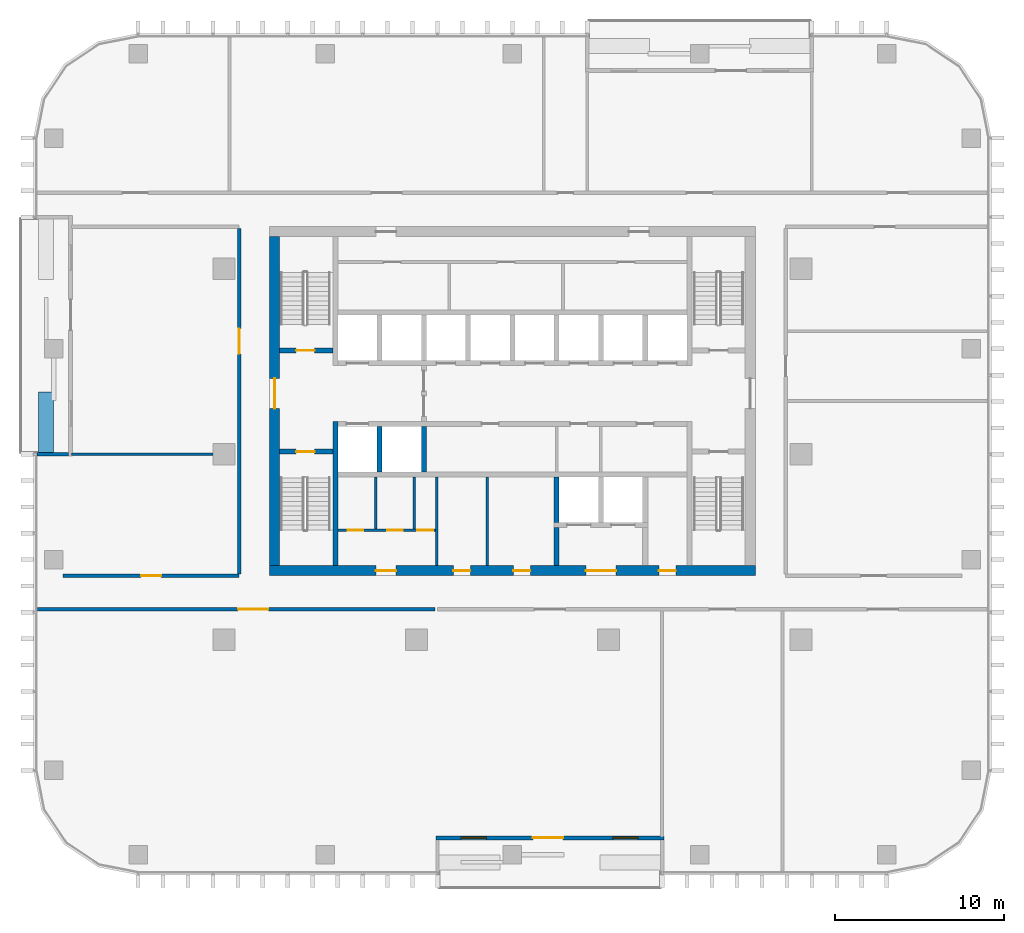
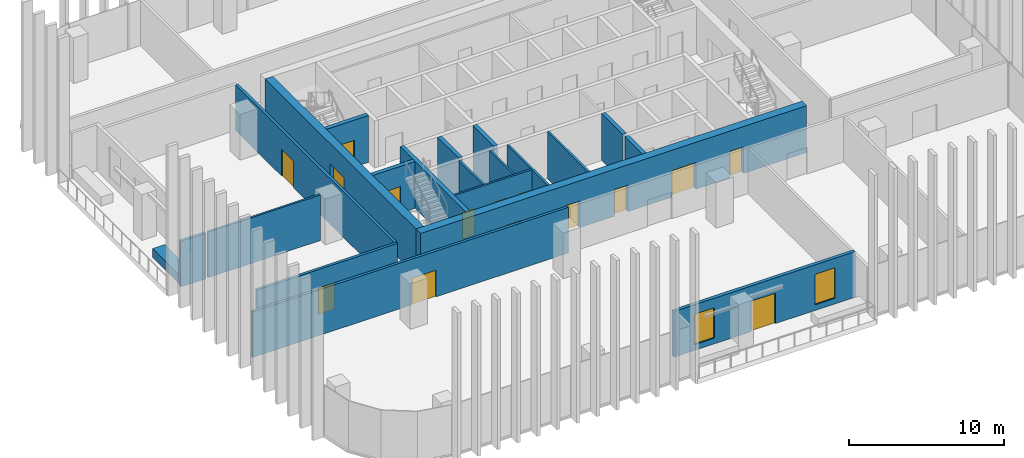
# One storey, part 7 of 16: 21 walls, 15 doors, 2 windows, 17 openings.
"""IFC4 building model written with IfcOpenShell, lengths in metres."""

from ifc_helpers import new_model, si_unit, direction, frame, frame_2d, origin, place, context, subcontext, project, spatial, rectangle, extrude, material, layer, layer_set, type_object, element, fill, save


model = new_model("IFC4")

# Units and contexts
model_context = context("Model", 3, precision=1e-05, world=origin(), true_north=direction((0.0, 1.0)))
body_context = subcontext(model_context, "Body", "Model", "MODEL_VIEW")
ifc_project = project(units=[si_unit("LENGTHUNIT", "METRE"), si_unit("AREAUNIT", "SQUARE_METRE"), si_unit("VOLUMEUNIT", "CUBIC_METRE"), si_unit("PLANEANGLEUNIT", "RADIAN"), si_unit("MASSUNIT", "GRAM", prefix="KILO")], contexts=[model_context])

# Site, building, storey
site_placement = place(None, origin())
site = spatial("IfcSite", under=ifc_project, at=site_placement, CompositionType="ELEMENT")
building_placement = place(site_placement, origin())
building = spatial("IfcBuilding", under=site, at=building_placement, Name="Mopane Tessera Tower", CompositionType="ELEMENT")
storey_placement = place(building_placement, frame((0.0, 0.0, 247.0)))
storey = spatial("IfcBuildingStorey", under=building, at=storey_placement, Name="L53", CompositionType="ELEMENT", Elevation=247.0)

# Wall, openings, doors
ifc_material_1 = material(Name="Fire-rated gypsum board partition")
ifc_layer_1 = layer(ifc_material_1, 0.14990234375)
ifc_layer_set_1 = layer_set([ifc_layer_1], Name="Fire-rated gypsum board partition")
wall_type_1 = type_object("IfcWallType", Name="Core room partition 150 mm", PredefinedType="PARTITIONING", material=ifc_layer_set_1)
wall_1_placement = place(storey_placement, frame((-10.35009765625, -4.5, 0.0), z_axis=(0.0, 0.0, 1.0), x_axis=(1.0, 0.0, 0.0)))
wall_1 = element("IfcWall", 1, at=wall_1_placement, inside=storey, type_object=wall_type_1, Name="L53 WC partition", PredefinedType="PARTITIONING", context=body_context, shape_type="SweptSolid", body=[
    extrude(rectangle(XDim=5.775146484375, YDim=0.14990234375, at=frame_2d((2.8876953125, 0.0))), origin(), (0.0, 0.0, 1.0), 3.699951171875),
])
opening_1_placement = place(wall_1_placement, frame((0.60009765625, 0.0, 0.0)))
opening_1 = element("IfcOpeningElement", 2, at=opening_1_placement, cuts=wall_1, Name="Opening WD1", PredefinedType="OPENING", context=body_context, shape_type="SweptSolid", body=[
    extrude(rectangle(XDim=0.89990234375, YDim=2.10009765625, at=frame_2d((0.449951171875, 1.050048828125))), frame((0.0, 0.0869140625, 0.0), z_axis=(0.0, -1.0, 0.0), x_axis=(1.0, 0.0, 0.0)), (0.0, 0.0, 1.0), 0.173828125),
])
opening_2_placement = place(wall_1_placement, frame((2.93994140625, 0.0, 0.0)))
opening_2 = element("IfcOpeningElement", 3, at=opening_2_placement, cuts=wall_1, Name="Opening WD1", PredefinedType="OPENING", context=body_context, shape_type="SweptSolid", body=[
    extrude(rectangle(XDim=0.89990234375, YDim=2.10009765625, at=frame_2d((0.449951171875, 1.050048828125))), frame((0.0, 0.0869140625, 0.0), z_axis=(0.0, -1.0, 0.0), x_axis=(1.0, 0.0, 0.0)), (0.0, 0.0, 1.0), 0.173828125),
])
opening_3_placement = place(wall_1_placement, frame((4.715087890625, 0.0, 0.0)))
opening_3 = element("IfcOpeningElement", 4, at=opening_3_placement, cuts=wall_1, Name="Opening WD2", PredefinedType="OPENING", context=body_context, shape_type="SweptSolid", body=[
    extrude(rectangle(XDim=0.949951171875, YDim=2.10009765625, at=frame_2d((0.47509765625, 1.050048828125))), frame((0.0, 0.0869140625, 0.0), z_axis=(0.0, -1.0, 0.0), x_axis=(1.0, 0.0, 0.0)), (0.0, 0.0, 1.0), 0.173828125),
])
ifc_material_2 = material(Name="Timber door", Category="wood")
door_type_1 = type_object("IfcDoorType", Name="Accessible WC door 950 x 2100", OperationType="SINGLE_SWING_LEFT", PredefinedType="DOOR", material=ifc_material_2)
door_1_placement = place(opening_3_placement, origin())
door_1 = element("IfcDoor", 5, at=door_1_placement, inside=storey, type_object=door_type_1, Name="L53 Accessible WC door", OperationType="SINGLE_SWING_LEFT", OverallHeight=2.10009765625, OverallWidth=0.949951171875, PredefinedType="DOOR", context=body_context, shape_type="SweptSolid", body=[
    extrude(rectangle(XDim=0.949951171875, YDim=2.10009765625, at=frame_2d((0.47509765625, 1.050048828125))), frame((0.0, 0.02490234375, 0.0), z_axis=(0.0, -1.0, 0.0), x_axis=(1.0, 0.0, 0.0)), (0.0, 0.0, 1.0), 0.050048828125),
])
fill(opening_3, door_1)
ifc_material_3 = material(Name="Timber door", Category="wood")
door_type_2 = type_object("IfcDoorType", Name="WC cubicle door 900 x 2100", OperationType="SINGLE_SWING_LEFT", PredefinedType="DOOR", material=ifc_material_3)
door_2_placement = place(opening_1_placement, origin())
door_2 = element("IfcDoor", 6, at=door_2_placement, inside=storey, type_object=door_type_2, Name="L53 Men's WC door", OperationType="SINGLE_SWING_LEFT", OverallHeight=2.10009765625, OverallWidth=0.89990234375, PredefinedType="DOOR", context=body_context, shape_type="SweptSolid", body=[
    extrude(rectangle(XDim=0.89990234375, YDim=2.10009765625, at=frame_2d((0.449951171875, 1.050048828125))), frame((0.0, 0.02490234375, 0.0), z_axis=(0.0, -1.0, 0.0), x_axis=(1.0, 0.0, 0.0)), (0.0, 0.0, 1.0), 0.050048828125),
])
fill(opening_1, door_2)
door_3_placement = place(opening_2_placement, origin())
door_3 = element("IfcDoor", 7, at=door_3_placement, inside=storey, type_object=door_type_2, Name="L53 Women's WC door", OperationType="SINGLE_SWING_LEFT", OverallHeight=2.10009765625, OverallWidth=0.89990234375, PredefinedType="DOOR", context=body_context, shape_type="SweptSolid", body=[
    extrude(rectangle(XDim=0.89990234375, YDim=2.10009765625, at=frame_2d((0.449951171875, 1.050048828125))), frame((0.0, 0.02490234375, 0.0), z_axis=(0.0, -1.0, 0.0), x_axis=(1.0, 0.0, 0.0)), (0.0, 0.0, 1.0), 0.050048828125),
])
fill(opening_2, door_3)

# Walls
for number, where, z_axis, x_axis, name in (
    (8, (-8.10009765625, -4.425048828125, 0.0), (0.0, 0.0, 1.0), (0.0, 1.0, 0.0), "L53 WC partition"),
    (9, (-5.820068359375, -4.425048828125, 0.0), (0.0, 0.0, 1.0), (0.0, 1.0, 0.0), "L53 WC partition"),
):
    element("IfcWall", number, at=place(storey_placement, frame(where, z_axis=z_axis, x_axis=x_axis)), inside=storey, type_object=wall_type_1, Name=name, PredefinedType="PARTITIONING", context=body_context, shape_type="SweptSolid", body=[
        extrude(rectangle(XDim=3.074951171875, YDim=0.14990234375, at=frame_2d((1.53759765625, 0.0))), origin(), (0.0, 0.0, 1.0), 3.699951171875),
    ])
for number, where, z_axis, x_axis, name in (
    (10, (-4.5, -6.60009765625, 0.0), (0.0, 0.0, 1.0), (0.0, 1.0, 0.0), "L53 Room partition"),
    (11, (-1.5, -6.60009765625, 0.0), (0.0, 0.0, 1.0), (0.0, 1.0, 0.0), "L53 Room partition"),
):
    element("IfcWall", number, at=place(storey_placement, frame(where, z_axis=z_axis, x_axis=x_axis)), inside=storey, type_object=wall_type_1, Name=name, PredefinedType="PARTITIONING", context=body_context, shape_type="SweptSolid", body=[
        extrude(rectangle(XDim=5.25, YDim=0.14990234375, at=frame_2d((2.625, 0.0))), origin(), (0.0, 0.0, 1.0), 3.699951171875),
    ])

# Wall, openings, doors
ifc_material_4 = material(Name="Concrete C70/85", Category="concrete")
ifc_layer_2 = layer(ifc_material_4, 0.60009765625)
ifc_layer_set_2 = layer_set([ifc_layer_2], Name="Concrete C70/85")
wall_type_2 = type_object("IfcWallType", Name="Core shear wall 600 mm", PredefinedType="SHEAR", material=ifc_layer_set_2)
wall_2_placement = place(storey_placement, frame((-14.39990234375, -6.89990234375, 0.0), z_axis=(0.0, 0.0, 1.0), x_axis=(1.0, 0.0, 0.0)))
wall_2 = element("IfcWall", 12, at=wall_2_placement, inside=storey, type_object=wall_type_2, Name="L53 Core wall south", PredefinedType="SHEAR", context=body_context, shape_type="SweptSolid", body=[
    extrude(rectangle(XDim=28.7998046875, YDim=0.60009765625, at=frame_2d((14.39990234375, 0.0))), origin(), (0.0, 0.0, 1.0), 3.699951171875),
])
opening_4_placement = place(wall_2_placement, frame((6.300048828125, 0.0, 0.0)))
opening_4 = element("IfcOpeningElement", 13, at=opening_4_placement, cuts=wall_2, Name="Opening WD3", PredefinedType="OPENING", context=body_context, shape_type="SweptSolid", body=[
    extrude(rectangle(XDim=1.199951171875, YDim=2.10009765625, at=frame_2d((0.60009765625, 1.050048828125))), frame((0.0, 0.31201171875, 0.0), z_axis=(0.0, -1.0, 0.0), x_axis=(1.0, 0.0, 0.0)), (0.0, 0.0, 1.0), 0.6240234375),
])
opening_5_placement = place(wall_2_placement, frame((10.89990234375, 0.0, 0.0)))
opening_5 = element("IfcOpeningElement", 14, at=opening_5_placement, cuts=wall_2, Name="Opening RD1", PredefinedType="OPENING", context=body_context, shape_type="SweptSolid", body=[
    extrude(rectangle(XDim=1.0, YDim=2.10009765625, at=frame_2d((0.5, 1.050048828125))), frame((0.0, 0.31201171875, 0.0), z_axis=(0.0, -1.0, 0.0), x_axis=(1.0, 0.0, 0.0)), (0.0, 0.0, 1.0), 0.6240234375),
])
opening_6_placement = place(wall_2_placement, frame((14.46240234375, 0.0, 0.0)))
opening_6 = element("IfcOpeningElement", 15, at=opening_6_placement, cuts=wall_2, Name="Opening RD1", PredefinedType="OPENING", context=body_context, shape_type="SweptSolid", body=[
    extrude(rectangle(XDim=1.0, YDim=2.10009765625, at=frame_2d((0.5, 1.050048828125))), frame((0.0, 0.31201171875, 0.0), z_axis=(0.0, -1.0, 0.0), x_axis=(1.0, 0.0, 0.0)), (0.0, 0.0, 1.0), 0.6240234375),
])
opening_7_placement = place(wall_2_placement, frame((18.75, 0.0, 0.0)))
opening_7 = element("IfcOpeningElement", 16, at=opening_7_placement, cuts=wall_2, Name="Opening SD2", PredefinedType="OPENING", context=body_context, shape_type="SweptSolid", body=[
    extrude(rectangle(XDim=1.800048828125, YDim=2.10009765625, at=frame_2d((0.89990234375, 1.050048828125))), frame((0.0, 0.31201171875, 0.0), z_axis=(0.0, -1.0, 0.0), x_axis=(1.0, 0.0, 0.0)), (0.0, 0.0, 1.0), 0.6240234375),
])
opening_8_placement = place(wall_2_placement, frame((23.08740234375, 0.0, 0.0)))
opening_8 = element("IfcOpeningElement", 17, at=opening_8_placement, cuts=wall_2, Name="Opening RD1", PredefinedType="OPENING", context=body_context, shape_type="SweptSolid", body=[
    extrude(rectangle(XDim=1.0, YDim=2.10009765625, at=frame_2d((0.5, 1.050048828125))), frame((0.0, 0.31201171875, 0.0), z_axis=(0.0, -1.0, 0.0), x_axis=(1.0, 0.0, 0.0)), (0.0, 0.0, 1.0), 0.6240234375),
])
ifc_material_5 = material(Name="Steel fire door", Category="steel")
door_type_3 = type_object("IfcDoorType", Name="Core entrance double door 1800 x 2100", OperationType="DOUBLE_DOOR_SINGLE_SWING", PredefinedType="DOOR", material=ifc_material_5)
door_4_placement = place(opening_7_placement, origin())
door_4 = element("IfcDoor", 18, at=door_4_placement, inside=storey, type_object=door_type_3, Name="L53 Service lobby door", OperationType="DOUBLE_DOOR_SINGLE_SWING", OverallHeight=2.10009765625, OverallWidth=1.800048828125, PredefinedType="DOOR", context=body_context, shape_type="SweptSolid", body=[
    extrude(rectangle(XDim=1.800048828125, YDim=2.10009765625, at=frame_2d((0.89990234375, 1.050048828125))), frame((0.0, 0.02490234375, 0.0), z_axis=(0.0, -1.0, 0.0), x_axis=(1.0, 0.0, 0.0)), (0.0, 0.0, 1.0), 0.050048828125),
])
fill(opening_7, door_4)
ifc_material_6 = material(Name="Timber door", Category="wood")
door_type_4 = type_object("IfcDoorType", Name="Core room door 1000 x 2100", OperationType="SINGLE_SWING_LEFT", PredefinedType="DOOR", material=ifc_material_6)
door_5_placement = place(opening_5_placement, origin())
door_5 = element("IfcDoor", 19, at=door_5_placement, inside=storey, type_object=door_type_4, Name="L53 Room door", OperationType="SINGLE_SWING_LEFT", OverallHeight=2.10009765625, OverallWidth=1.0, PredefinedType="DOOR", context=body_context, shape_type="SweptSolid", body=[
    extrude(rectangle(XDim=1.0, YDim=2.10009765625, at=frame_2d((0.5, 1.050048828125))), frame((0.0, 0.02490234375, 0.0), z_axis=(0.0, -1.0, 0.0), x_axis=(1.0, 0.0, 0.0)), (0.0, 0.0, 1.0), 0.050048828125),
])
fill(opening_5, door_5)
door_6_placement = place(opening_6_placement, origin())
door_6 = element("IfcDoor", 20, at=door_6_placement, inside=storey, type_object=door_type_4, Name="L53 Room door", OperationType="SINGLE_SWING_LEFT", OverallHeight=2.10009765625, OverallWidth=1.0, PredefinedType="DOOR", context=body_context, shape_type="SweptSolid", body=[
    extrude(rectangle(XDim=1.0, YDim=2.10009765625, at=frame_2d((0.5, 1.050048828125))), frame((0.0, 0.02490234375, 0.0), z_axis=(0.0, -1.0, 0.0), x_axis=(1.0, 0.0, 0.0)), (0.0, 0.0, 1.0), 0.050048828125),
])
fill(opening_6, door_6)
door_7_placement = place(opening_8_placement, origin())
door_7 = element("IfcDoor", 21, at=door_7_placement, inside=storey, type_object=door_type_4, Name="L53 Room door", OperationType="SINGLE_SWING_LEFT", OverallHeight=2.10009765625, OverallWidth=1.0, PredefinedType="DOOR", context=body_context, shape_type="SweptSolid", body=[
    extrude(rectangle(XDim=1.0, YDim=2.10009765625, at=frame_2d((0.5, 1.050048828125))), frame((0.0, 0.02490234375, 0.0), z_axis=(0.0, -1.0, 0.0), x_axis=(1.0, 0.0, 0.0)), (0.0, 0.0, 1.0), 0.050048828125),
])
fill(opening_8, door_7)
ifc_material_7 = material(Name="Timber door", Category="wood")
door_type_5 = type_object("IfcDoorType", Name="WC lobby door 1200 x 2100", OperationType="SINGLE_SWING_LEFT", PredefinedType="DOOR", material=ifc_material_7)
door_8_placement = place(opening_4_placement, origin())
door_8 = element("IfcDoor", 22, at=door_8_placement, inside=storey, type_object=door_type_5, Name="L53 WC lobby door", OperationType="SINGLE_SWING_LEFT", OverallHeight=2.10009765625, OverallWidth=1.199951171875, PredefinedType="DOOR", context=body_context, shape_type="SweptSolid", body=[
    extrude(rectangle(XDim=1.199951171875, YDim=2.10009765625, at=frame_2d((0.60009765625, 1.050048828125))), frame((0.0, 0.02490234375, 0.0), z_axis=(0.0, -1.0, 0.0), x_axis=(1.0, 0.0, 0.0)), (0.0, 0.0, 1.0), 0.050048828125),
])
fill(opening_4, door_8)

# Wall, opening, door
wall_3_placement = place(storey_placement, frame((-14.10009765625, -6.60009765625, 0.0), z_axis=(0.0, 0.0, 1.0), x_axis=(0.0, 1.0, 0.0)))
wall_3 = element("IfcWall", 23, at=wall_3_placement, inside=storey, type_object=wall_type_2, Name="L53 Core wall west", PredefinedType="SHEAR", context=body_context, shape_type="SweptSolid", body=[
    extrude(rectangle(XDim=19.5, YDim=0.60009765625, at=frame_2d((9.75, 0.0))), origin(), (0.0, 0.0, 1.0), 3.699951171875),
])
opening_9_placement = place(wall_3_placement, frame((9.300048828125, 0.0, 0.0)))
opening_9 = element("IfcOpeningElement", 24, at=opening_9_placement, cuts=wall_3, Name="Opening SD2", PredefinedType="OPENING", context=body_context, shape_type="SweptSolid", body=[
    extrude(rectangle(XDim=1.800048828125, YDim=2.10009765625, at=frame_2d((0.89990234375, 1.050048828125))), frame((0.0, 0.31201171875, 0.0), z_axis=(0.0, -1.0, 0.0), x_axis=(1.0, 0.0, 0.0)), (0.0, 0.0, 1.0), 0.6240234375),
])
door_9_placement = place(opening_9_placement, origin())
door_9 = element("IfcDoor", 25, at=door_9_placement, inside=storey, type_object=door_type_3, Name="L53 Core entrance door west", OperationType="DOUBLE_DOOR_SINGLE_SWING", OverallHeight=2.10009765625, OverallWidth=1.800048828125, PredefinedType="DOOR", context=body_context, shape_type="SweptSolid", body=[
    extrude(rectangle(XDim=1.800048828125, YDim=2.10009765625, at=frame_2d((0.89990234375, 1.050048828125))), frame((0.0, 0.02490234375, 0.0), z_axis=(0.0, -1.0, 0.0), x_axis=(1.0, 0.0, 0.0)), (0.0, 0.0, 1.0), 0.050048828125),
])
fill(opening_9, door_9)

# Wall
ifc_material_8 = material(Name="Concrete C60/75", Category="concrete")
ifc_layer_3 = layer(ifc_material_8, 0.300048828125)
ifc_layer_set_3 = layer_set([ifc_layer_3], Name="Concrete C60/75")
wall_type_3 = type_object("IfcWallType", Name="Core spine wall 300 mm", PredefinedType="SHEAR", material=ifc_layer_set_3)
wall_4_placement = place(storey_placement, frame((-10.5, -6.60009765625, 0.0), z_axis=(0.0, 0.0, 1.0), x_axis=(0.0, 1.0, 0.0)))
element("IfcWall", 26, at=wall_4_placement, inside=storey, type_object=wall_type_3, Name="L53 Core spine wall", PredefinedType="SHEAR", context=body_context, shape_type="SweptSolid", body=[
    extrude(rectangle(XDim=8.550048828125, YDim=0.300048828125, at=frame_2d((4.27490234375, 0.0))), origin(), (0.0, 0.0, 1.0), 3.699951171875),
])

# Wall, opening, door
ifc_material_9 = material(Name="Gypsum board on steel studs, two layers each face, mineral wool infill", Category="steel")
ifc_layer_4 = layer(ifc_material_9, 0.199951171875)
ifc_layer_set_4 = layer_set([ifc_layer_4], Name="Gypsum board on steel studs, two layers each face, mineral wool infill")
wall_type_4 = type_object("IfcWallType", Name="Gypsum board corridor wall 200, rated EI 60", PredefinedType="PARTITIONING", material=ifc_layer_set_4)
wall_5_placement = place(storey_placement, frame((-28.14990234375, -9.199951171875, 0.0), z_axis=(0.0, 0.0, 1.0), x_axis=(1.0, 0.0, 0.0)))
wall_5 = element("IfcWall", 27, at=wall_5_placement, inside=storey, type_object=wall_type_4, Name="Partition L53:000", PredefinedType="PARTITIONING", context=body_context, shape_type="SweptSolid", body=[
    extrude(rectangle(XDim=23.559814453125, YDim=0.199951171875, at=frame_2d((11.77978515625, 0.0))), origin(), (0.0, 0.0, 1.0), 3.60009765625),
])
opening_10_placement = place(wall_5_placement, frame((11.8798828125, 0.0, 0.0)))
opening_10 = element("IfcOpeningElement", 28, at=opening_10_placement, cuts=wall_5, Name="Opening L53-09", PredefinedType="OPENING", context=body_context, shape_type="SweptSolid", body=[
    extrude(rectangle(XDim=1.800048828125, YDim=2.10009765625, at=frame_2d((0.89990234375, 1.050048828125))), frame((0.0, 0.112060546875, 0.0), z_axis=(0.0, -1.0, 0.0), x_axis=(1.0, 0.0, 0.0)), (0.0, 0.0, 1.0), 0.223876953125),
])
ifc_material_10 = material(Name="Timber veneered steel-framed fire door", Category="steel")
door_type_6 = type_object("IfcDoorType", Name="Fire door pair FD60 1800 x 2100", OperationType="DOUBLE_DOOR_SINGLE_SWING", PredefinedType="DOOR", material=ifc_material_10)
door_10_placement = place(opening_10_placement, origin())
door_10 = element("IfcDoor", 29, at=door_10_placement, inside=storey, type_object=door_type_6, Name="Door L53-09", ObjectType="D20A", OperationType="DOUBLE_DOOR_SINGLE_SWING", OverallHeight=2.10009765625, OverallWidth=1.800048828125, PredefinedType="DOOR", context=body_context, shape_type="SweptSolid", body=[
    extrude(rectangle(XDim=1.800048828125, YDim=2.10009765625, at=frame_2d((0.89990234375, 1.050048828125))), frame((0.0, 0.02490234375, 0.0), z_axis=(0.0, -1.0, 0.0), x_axis=(1.0, 0.0, 0.0)), (0.0, 0.0, 1.0), 0.050048828125),
])
fill(opening_10, door_10)

wall_6_placement = place(storey_placement, frame((-26.64990234375, -7.199951171875, 0.0), z_axis=(0.0, 0.0, 1.0), x_axis=(1.0, 0.0, 0.0)))
wall_6 = element("IfcWall", 30, at=wall_6_placement, inside=storey, type_object=wall_type_4, Name="Partition L53:002", PredefinedType="PARTITIONING", context=body_context, shape_type="SweptSolid", body=[
    extrude(rectangle(XDim=10.449951171875, YDim=0.199951171875, at=frame_2d((5.22509765625, 0.0))), origin(), (0.0, 0.0, 1.0), 3.60009765625),
])
opening_11_placement = place(wall_6_placement, frame((4.625, 0.0, 0.0)))
opening_11 = element("IfcOpeningElement", 31, at=opening_11_placement, cuts=wall_6, Name="Opening L53-08", PredefinedType="OPENING", context=body_context, shape_type="SweptSolid", body=[
    extrude(rectangle(XDim=1.199951171875, YDim=2.10009765625, at=frame_2d((0.60009765625, 1.050048828125))), frame((0.0, 0.112060546875, 0.0), z_axis=(0.0, -1.0, 0.0), x_axis=(1.0, 0.0, 0.0)), (0.0, 0.0, 1.0), 0.223876953125),
])
ifc_material_11 = material(Name="Timber veneered steel-framed fire door", Category="steel")
door_type_7 = type_object("IfcDoorType", Name="Fire door FD60 1200 x 2100", OperationType="SINGLE_SWING_LEFT", PredefinedType="DOOR", material=ifc_material_11)
door_11_placement = place(opening_11_placement, origin())
door_11 = element("IfcDoor", 32, at=door_11_placement, inside=storey, type_object=door_type_7, Name="Door L53-08", ObjectType="D15A", OperationType="SINGLE_SWING_LEFT", OverallHeight=2.10009765625, OverallWidth=1.199951171875, PredefinedType="DOOR", context=body_context, shape_type="SweptSolid", body=[
    extrude(rectangle(XDim=1.199951171875, YDim=2.10009765625, at=frame_2d((0.60009765625, 1.050048828125))), frame((0.0, 0.02490234375, 0.0), z_axis=(0.0, -1.0, 0.0), x_axis=(1.0, 0.0, 0.0)), (0.0, 0.0, 1.0), 0.050048828125),
])
fill(opening_11, door_11)

wall_7_placement = place(storey_placement, frame((-16.199951171875, -7.10009765625, 0.0), z_axis=(0.0, 0.0, 1.0), x_axis=(0.0, 1.0, 0.0)))
wall_7 = element("IfcWall", 33, at=wall_7_placement, inside=storey, type_object=wall_type_4, Name="Partition L53:011", PredefinedType="PARTITIONING", context=body_context, shape_type="SweptSolid", body=[
    extrude(rectangle(XDim=20.5, YDim=0.199951171875, at=frame_2d((10.25, 0.0))), origin(), (0.0, 0.0, 1.0), 3.60009765625),
])
opening_12_placement = place(wall_7_placement, frame((13.050048828125, 0.0, 0.0)))
opening_12 = element("IfcOpeningElement", 34, at=opening_12_placement, cuts=wall_7, Name="Opening L53-03", PredefinedType="OPENING", context=body_context, shape_type="SweptSolid", body=[
    extrude(rectangle(XDim=1.5, YDim=2.10009765625, at=frame_2d((0.75, 1.050048828125))), frame((0.0, 0.112060546875, 0.0), z_axis=(0.0, -1.0, 0.0), x_axis=(1.0, 0.0, 0.0)), (0.0, 0.0, 1.0), 0.223876953125),
])
ifc_material_12 = material(Name="Timber veneered steel-framed fire door", Category="steel")
door_type_8 = type_object("IfcDoorType", Name="Fire door pair FD60 1500 x 2100", OperationType="DOUBLE_DOOR_SINGLE_SWING", PredefinedType="DOOR", material=ifc_material_12)
door_12_placement = place(opening_12_placement, origin())
door_12 = element("IfcDoor", 35, at=door_12_placement, inside=storey, type_object=door_type_8, Name="Door L53-03", ObjectType="D17A", OperationType="DOUBLE_DOOR_SINGLE_SWING", OverallHeight=2.10009765625, OverallWidth=1.5, PredefinedType="DOOR", context=body_context, shape_type="SweptSolid", body=[
    extrude(rectangle(XDim=1.5, YDim=2.10009765625, at=frame_2d((0.75, 1.050048828125))), frame((0.0, 0.02490234375, 0.0), z_axis=(0.0, -1.0, 0.0), x_axis=(1.0, 0.0, 0.0)), (0.0, 0.0, 1.0), 0.050048828125),
])
fill(opening_12, door_12)

# Wall
ifc_material_13 = material(Name="Gypsum board on steel studs, mineral wool infill", Category="steel")
ifc_layer_5 = layer(ifc_material_13, 0.14990234375)
ifc_layer_set_5 = layer_set([ifc_layer_5], Name="Gypsum board on steel studs, mineral wool infill")
wall_type_5 = type_object("IfcWallType", Name="Gypsum board partition 150, rated EI 60", PredefinedType="PARTITIONING", material=ifc_layer_set_5)
wall_8_placement = place(storey_placement, frame((-26.14990234375, 0.0, 0.0), z_axis=(0.0, 0.0, 1.0), x_axis=(1.0, 0.0, 0.0)))
element("IfcWall", 36, at=wall_8_placement, inside=storey, type_object=wall_type_5, Name="Partition L53:004", PredefinedType="PARTITIONING", context=body_context, shape_type="SweptSolid", body=[
    extrude(rectangle(XDim=8.39990234375, YDim=0.14990234375, at=frame_2d((4.199951171875, 0.0))), origin(), (0.0, 0.0, 1.0), 3.60009765625),
])

# Wall, opening, door
ifc_material_14 = material(Name="Concrete C50/60", Category="concrete")
ifc_layer_6 = layer(ifc_material_14, 0.300048828125)
ifc_layer_set_6 = layer_set([ifc_layer_6], Name="Concrete C50/60")
wall_type_6 = type_object("IfcWallType", Name="Lift and stair shaft wall 300 mm", PredefinedType="SOLIDWALL", material=ifc_layer_set_6)
wall_9_placement = place(storey_placement, frame((-13.800048828125, 0.14990234375, 0.0), z_axis=(0.0, 0.0, 1.0), x_axis=(1.0, 0.0, 0.0)))
wall_9 = element("IfcWall", 37, at=wall_9_placement, inside=storey, type_object=wall_type_6, Name="L53 Stair enclosure wall", PredefinedType="SOLIDWALL", context=body_context, shape_type="SweptSolid", body=[
    extrude(rectangle(XDim=3.150146484375, YDim=0.300048828125, at=frame_2d((1.5751953125, 0.0))), origin(), (0.0, 0.0, 1.0), 3.699951171875),
])
opening_13_placement = place(wall_9_placement, frame((0.97509765625, 0.0, 0.0)))
opening_13 = element("IfcOpeningElement", 38, at=opening_13_placement, cuts=wall_9, Name="Opening SD1", PredefinedType="OPENING", context=body_context, shape_type="SweptSolid", body=[
    extrude(rectangle(XDim=1.10009765625, YDim=2.10009765625, at=frame_2d((0.550048828125, 1.050048828125))), frame((0.0, 0.162109375, 0.0), z_axis=(0.0, -1.0, 0.0), x_axis=(1.0, 0.0, 0.0)), (0.0, 0.0, 1.0), 0.323974609375),
])
ifc_material_15 = material(Name="Steel fire door", Category="steel")
door_type_9 = type_object("IfcDoorType", Name="Stair fire door 1100 x 2100", OperationType="SINGLE_SWING_LEFT", PredefinedType="DOOR", material=ifc_material_15)
door_13_placement = place(opening_13_placement, origin())
door_13 = element("IfcDoor", 39, at=door_13_placement, inside=storey, type_object=door_type_9, Name="L53 Stair door ST1", OperationType="SINGLE_SWING_LEFT", OverallHeight=2.10009765625, OverallWidth=1.10009765625, PredefinedType="DOOR", context=body_context, shape_type="SweptSolid", body=[
    extrude(rectangle(XDim=1.10009765625, YDim=2.10009765625, at=frame_2d((0.550048828125, 1.050048828125))), frame((0.0, 0.02490234375, 0.0), z_axis=(0.0, -1.0, 0.0), x_axis=(1.0, 0.0, 0.0)), (0.0, 0.0, 1.0), 0.050048828125),
])
fill(opening_13, door_13)

wall_10_placement = place(storey_placement, frame((-13.800048828125, 6.14990234375, 0.0), z_axis=(0.0, 0.0, 1.0), x_axis=(1.0, 0.0, 0.0)))
wall_10 = element("IfcWall", 40, at=wall_10_placement, inside=storey, type_object=wall_type_6, Name="L53 Stair enclosure wall", PredefinedType="SOLIDWALL", context=body_context, shape_type="SweptSolid", body=[
    extrude(rectangle(XDim=3.150146484375, YDim=0.300048828125, at=frame_2d((1.5751953125, 0.0))), origin(), (0.0, 0.0, 1.0), 3.699951171875),
])
opening_14_placement = place(wall_10_placement, frame((0.97509765625, 0.0, 0.0)))
opening_14 = element("IfcOpeningElement", 41, at=opening_14_placement, cuts=wall_10, Name="Opening SD1", PredefinedType="OPENING", context=body_context, shape_type="SweptSolid", body=[
    extrude(rectangle(XDim=1.10009765625, YDim=2.10009765625, at=frame_2d((0.550048828125, 1.050048828125))), frame((0.0, 0.162109375, 0.0), z_axis=(0.0, -1.0, 0.0), x_axis=(1.0, 0.0, 0.0)), (0.0, 0.0, 1.0), 0.323974609375),
])
door_14_placement = place(opening_14_placement, origin())
door_14 = element("IfcDoor", 42, at=door_14_placement, inside=storey, type_object=door_type_9, Name="L53 Stair door ST2", OperationType="SINGLE_SWING_LEFT", OverallHeight=2.10009765625, OverallWidth=1.10009765625, PredefinedType="DOOR", context=body_context, shape_type="SweptSolid", body=[
    extrude(rectangle(XDim=1.10009765625, YDim=2.10009765625, at=frame_2d((0.550048828125, 1.050048828125))), frame((0.0, 0.02490234375, 0.0), z_axis=(0.0, -1.0, 0.0), x_axis=(1.0, 0.0, 0.0)), (0.0, 0.0, 1.0), 0.050048828125),
])
fill(opening_14, door_14)

# Walls
for number, where, z_axis, x_axis, name in (
    (43, (-7.875, -1.050048828125, 0.0), (0.0, 0.0, 1.0), (0.0, 1.0, 0.0), "L53 Lift shaft wall"),
    (44, (-5.25, -1.050048828125, 0.0), (0.0, 0.0, 1.0), (0.0, 1.0, 0.0), "L53 Lift shaft wall"),
    (45, (2.625, -4.050048828125, 0.0), (0.0, 0.0, 1.0), (0.0, 1.0, 0.0), "L53 Lift shaft wall"),
):
    element("IfcWall", number, at=place(storey_placement, frame(where, z_axis=z_axis, x_axis=x_axis)), inside=storey, type_object=wall_type_6, Name=name, PredefinedType="SOLIDWALL", context=body_context, shape_type="SweptSolid", body=[
        extrude(rectangle(XDim=2.699951171875, YDim=0.300048828125, at=frame_2d((1.35009765625, 0.0))), origin(), (0.0, 0.0, 1.0), 3.699951171875),
    ])
ifc_material_16 = material(Name="Concrete C50/60", Category="concrete")
ifc_layer_7 = layer(ifc_material_16, 0.300048828125)
ifc_layer_set_7 = layer_set([ifc_layer_7], Name="Concrete C50/60")
wall_type_7 = type_object("IfcWallType", Name="Lobby and refuge room wall 300 mm", PredefinedType="SOLIDWALL", material=ifc_layer_set_7)
wall_11_placement = place(storey_placement, frame((2.625, -6.60009765625, 0.0), z_axis=(0.0, 0.0, 1.0), x_axis=(0.0, 1.0, 0.0)))
element("IfcWall", 46, at=wall_11_placement, inside=storey, type_object=wall_type_7, Name="L53 Service lobby wall", PredefinedType="SOLIDWALL", context=body_context, shape_type="SweptSolid", body=[
    extrude(rectangle(XDim=2.25, YDim=0.300048828125, at=frame_2d((1.125, 0.0))), origin(), (0.0, 0.0, 1.0), 3.699951171875),
])
ifc_material_17 = material(Name="Reinforced concrete C32/40 with waterproofing", Category="concrete")
ifc_layer_8 = layer(ifc_material_17, 0.89990234375)
ifc_layer_set_8 = layer_set([ifc_layer_8], Name="Reinforced concrete C32/40 with waterproofing")
wall_type_8 = type_object("IfcWallType", Name="Planter trough 3600 x 900", PredefinedType="STANDARD", material=ifc_layer_set_8)
wall_12_placement = place(storey_placement, frame((-27.64990234375, 3.699951171875, 0.0), z_axis=(0.0, 0.0, 1.0), x_axis=(0.0, -1.0, 0.0)))
element("IfcWall", 47, at=wall_12_placement, inside=storey, type_object=wall_type_8, Name="e:nw:L53:N3:pl1", PredefinedType="STANDARD", context=body_context, shape_type="SweptSolid", body=[
    extrude(rectangle(XDim=3.599853515625, YDim=0.89990234375, at=frame_2d((1.7998046875, 0.0))), origin(), (0.0, 0.0, 1.0), 0.699951171875),
])
ifc_material_18 = material(Name="Blockwork with glazed tile facing", Category="masonry")
ifc_layer_9 = layer(ifc_material_18, 0.199951171875)
ifc_layer_set_9 = layer_set([ifc_layer_9], Name="Blockwork with glazed tile facing")
wall_type_9 = type_object("IfcWallType", Name="Terrace cheek wall 200", PredefinedType="STANDARD", material=ifc_layer_set_9)
wall_13_placement = place(storey_placement, frame((-28.199951171875, 0.0, 0.0), z_axis=(0.0, 0.0, 1.0), x_axis=(1.0, 0.0, 0.0)))
element("IfcWall", 48, at=wall_13_placement, inside=storey, type_object=wall_type_9, Name="e:nw:L53:N3:cheekb", PredefinedType="STANDARD", context=body_context, shape_type="SweptSolid", body=[
    extrude(rectangle(XDim=1.875, YDim=0.199951171875, at=frame_2d((0.9375, 0.0))), origin(), (0.0, 0.0, 1.0), 3.60009765625),
])

# Wall, openings, windows, door
ifc_material_19 = material(Name="Blockwork with ochre glazed tile facing", Category="masonry")
ifc_layer_10 = layer(ifc_material_19, 0.25)
ifc_layer_set_10 = layer_set([ifc_layer_10], Name="Blockwork with ochre glazed tile facing")
wall_type_10 = type_object("IfcWallType", Name="Tile-clad external wall 250, ochre", PredefinedType="STANDARD", material=ifc_layer_set_10)
wall_14_placement = place(storey_placement, frame((-4.5400390625, -22.75, 0.0), z_axis=(0.0, 0.0, 1.0), x_axis=(1.0, 0.0, 0.0)))
wall_14 = element("IfcWall", 49, at=wall_14_placement, inside=storey, type_object=wall_type_10, Name="e:nw:L53:N1:back", PredefinedType="STANDARD", context=body_context, shape_type="SweptSolid", body=[
    extrude(rectangle(XDim=13.52001953125, YDim=0.25, at=frame_2d((6.760009765625, 0.0))), origin(), (0.0, 0.0, 1.0), 3.60009765625),
])
opening_15_placement = place(wall_14_placement, frame((1.5, 0.0, 0.449951171875)))
opening_15 = element("IfcOpeningElement", 50, at=opening_15_placement, cuts=wall_14, Name="Opening NW531A", PredefinedType="OPENING", context=body_context, shape_type="SweptSolid", body=[
    extrude(rectangle(XDim=1.5, YDim=2.39990234375, at=frame_2d((0.75, 1.199951171875))), frame((0.0, 0.136962890625, 0.0), z_axis=(0.0, -1.0, 0.0), x_axis=(1.0, 0.0, 0.0)), (0.0, 0.0, 1.0), 0.27392578125),
])
opening_16_placement = place(wall_14_placement, frame((5.75, 0.0, 0.0)))
opening_16 = element("IfcOpeningElement", 51, at=opening_16_placement, cuts=wall_14, Name="Opening ND531", PredefinedType="OPENING", context=body_context, shape_type="SweptSolid", body=[
    extrude(rectangle(XDim=1.800048828125, YDim=2.39990234375, at=frame_2d((0.89990234375, 1.199951171875))), frame((0.0, 0.136962890625, 0.0), z_axis=(0.0, -1.0, 0.0), x_axis=(1.0, 0.0, 0.0)), (0.0, 0.0, 1.0), 0.27392578125),
])
opening_17_placement = place(wall_14_placement, frame((10.5, 0.0, 0.449951171875)))
opening_17 = element("IfcOpeningElement", 52, at=opening_17_placement, cuts=wall_14, Name="Opening NW531B", PredefinedType="OPENING", context=body_context, shape_type="SweptSolid", body=[
    extrude(rectangle(XDim=1.5, YDim=2.39990234375, at=frame_2d((0.75, 1.199951171875))), frame((0.0, 0.136962890625, 0.0), z_axis=(0.0, -1.0, 0.0), x_axis=(1.0, 0.0, 0.0)), (0.0, 0.0, 1.0), 0.27392578125),
])
ifc_material_20 = material(Name="Clear laminated glass", Category="glass")
window_type = type_object("IfcWindowType", Name="Fixed window 1500 x 2400", PartitioningType="SINGLE_PANEL", PredefinedType="WINDOW", material=ifc_material_20)
window_1_placement = place(opening_15_placement, origin())
window_1 = element("IfcWindow", 53, at=window_1_placement, inside=storey, type_object=window_type, Name="e:nw:L53:N1:win0", OverallHeight=2.39990234375, OverallWidth=1.5, PartitioningType="SINGLE_PANEL", PredefinedType="WINDOW", context=body_context, shape_type="SweptSolid", body=[
    extrude(rectangle(XDim=1.5, YDim=2.39990234375, at=frame_2d((0.75, 1.199951171875))), frame((0.0, 0.030029296875, 0.0), z_axis=(0.0, -1.0, 0.0), x_axis=(1.0, 0.0, 0.0)), (0.0, 0.0, 1.0), 0.06005859375),
])
fill(opening_15, window_1)
window_2_placement = place(opening_17_placement, origin())
window_2 = element("IfcWindow", 54, at=window_2_placement, inside=storey, type_object=window_type, Name="e:nw:L53:N1:win2", OverallHeight=2.39990234375, OverallWidth=1.5, PartitioningType="SINGLE_PANEL", PredefinedType="WINDOW", context=body_context, shape_type="SweptSolid", body=[
    extrude(rectangle(XDim=1.5, YDim=2.39990234375, at=frame_2d((0.75, 1.199951171875))), frame((0.0, 0.030029296875, 0.0), z_axis=(0.0, -1.0, 0.0), x_axis=(1.0, 0.0, 0.0)), (0.0, 0.0, 1.0), 0.06005859375),
])
fill(opening_17, window_2)
ifc_material_21 = material(Name="Aluminium and clear glass", Category="aluminium")
door_type_10 = type_object("IfcDoorType", Name="Terrace double door 1800 x 2400", OperationType="DOUBLE_DOOR_SINGLE_SWING", PredefinedType="DOOR", material=ifc_material_21)
door_15_placement = place(opening_16_placement, origin())
door_15 = element("IfcDoor", 55, at=door_15_placement, inside=storey, type_object=door_type_10, Name="e:nw:L53:N1:door", ObjectType="D1", OperationType="DOUBLE_DOOR_SINGLE_SWING", OverallHeight=2.39990234375, OverallWidth=1.800048828125, PredefinedType="DOOR", context=body_context, shape_type="SweptSolid", body=[
    extrude(rectangle(XDim=1.800048828125, YDim=2.39990234375, at=frame_2d((0.89990234375, 1.199951171875))), frame((0.0, 0.02490234375, 0.0), z_axis=(0.0, -1.0, 0.0), x_axis=(1.0, 0.0, 0.0)), (0.0, 0.0, 1.0), 0.050048828125),
])
fill(opening_16, door_15)

save(model, "model.ifc")
